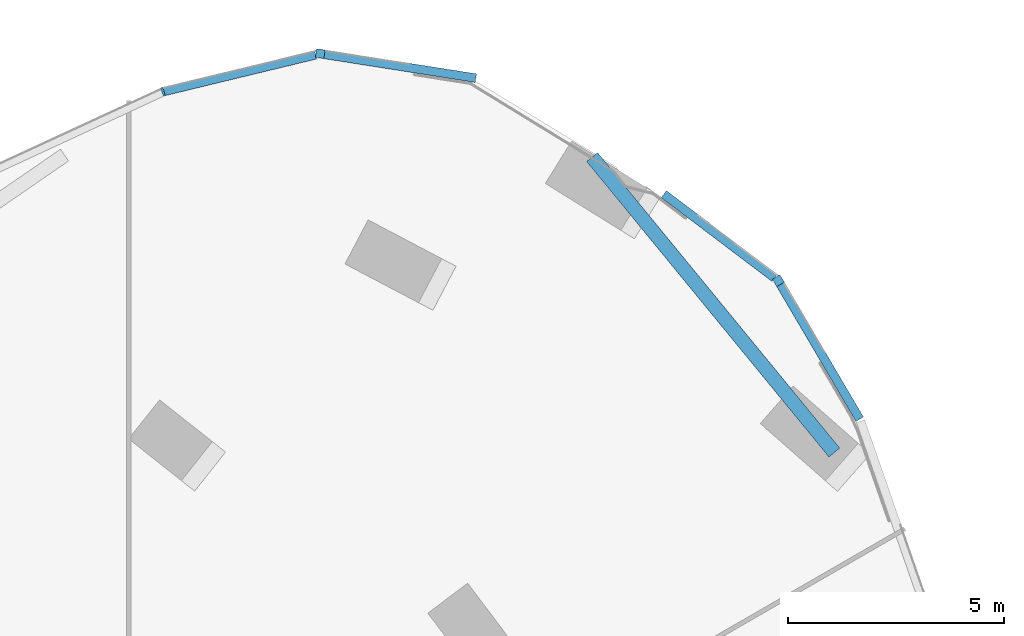
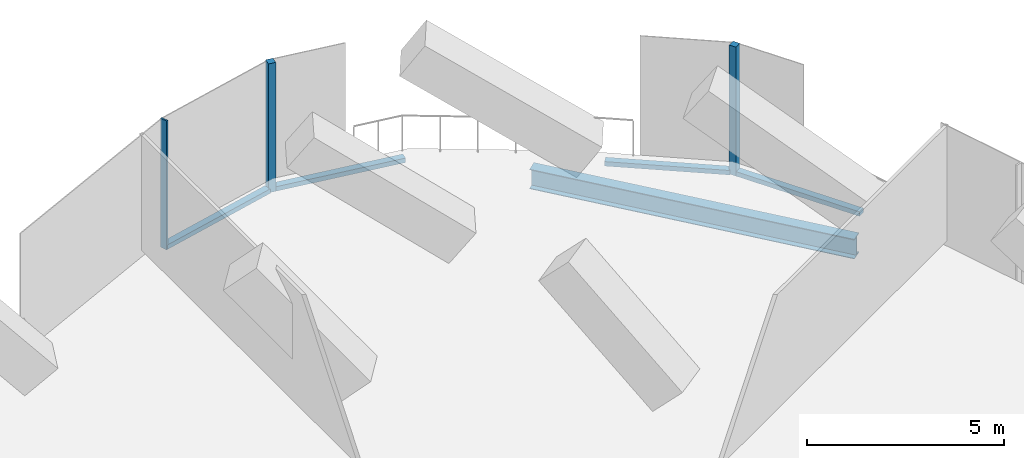
# One storey, part 11 of 26: 7 members, 1 beam, 4 elements without a shape of their own.
"""IFC4 building model written with IfcOpenShell, lengths in metres."""

from ifc_helpers import new_model, si_unit, direction, frame, origin, origin_2d, place, context, subcontext, project, spatial, rectangle, i_section, extrude, material, material_profile, profile_set, type_object, element, aggregate, save


model = new_model("IFC4")

# Units and contexts
model_context = context("Model", 3, precision=1e-05, world=origin(), true_north=direction((0.0, 1.0)))
body_context = subcontext(model_context, "Body", "Model", "MODEL_VIEW")
ifc_project = project(units=[si_unit("LENGTHUNIT", "METRE"), si_unit("AREAUNIT", "SQUARE_METRE"), si_unit("VOLUMEUNIT", "CUBIC_METRE"), si_unit("PLANEANGLEUNIT", "RADIAN"), si_unit("MASSUNIT", "GRAM", prefix="KILO")], contexts=[model_context])

# Site, building, storey
site_placement = place(None, origin())
site = spatial("IfcSite", under=ifc_project, at=site_placement, CompositionType="ELEMENT")
building_placement = place(site_placement, origin())
building = spatial("IfcBuilding", under=site, at=building_placement, Name="Orlundy Tower", CompositionType="ELEMENT")
storey_placement = place(building_placement, frame((0.0, 0.0, 249.5)))
storey = spatial("IfcBuildingStorey", under=building, at=storey_placement, Name="L66", CompositionType="ELEMENT", Elevation=249.5)

# Beam
ifc_material_1 = material(Name="Steel ASTM A992 Gr 50", Category="steel")
ifc_material_profile_1 = material_profile(ifc_material_1, i_section(OverallWidth=0.32373046875, OverallDepth=0.611083984375, WebThickness=0.0126953125, FlangeThickness=0.01904296875, at=origin_2d()), Name="W24X104")
ifc_profile_set_1 = profile_set([ifc_material_profile_1], Name="Steel ASTM A992 Gr 50")
beam_type = type_object("IfcBeamType", Name="CANTILEVER GIRDER beam W24X104", PredefinedType="BEAM", material=ifc_profile_set_1)
beam_placement = place(storey_placement, frame((28.705078125, 29.333984375, -0.7255859375), z_axis=(0.634071979262, -0.773274029768, 0.0), x_axis=(0.773274029768, 0.634071979262, 0.0)))
element("IfcBeam", 1, at=beam_placement, inside=storey, type_object=beam_type, Name="Cantilever girder C-A5-5 L66", PredefinedType="BEAM", context=body_context, shape_type="SweptSolid", body=[
    extrude(i_section(OverallWidth=0.32373046875, OverallDepth=0.611083984375, WebThickness=0.0126953125, FlangeThickness=0.01904296875, at=origin_2d()), origin(), (0.0, 0.0, 1.0), 8.825439453125),
])

# Curtain wall, member
ifc_material_2 = material(Name="Aluminium bronze anodised", Category="aluminium")
curtain_wall_type = type_object("IfcCurtainWallType", Name="CW5 wall", PredefinedType="NOTDEFINED", material=ifc_material_2)
curtain_wall_1_placement = place(storey_placement, origin())
curtain_wall_1 = element("IfcCurtainWall", 2, at=curtain_wall_1_placement, inside=storey, type_object=curtain_wall_type, Name="CW5 run 017", PredefinedType="NOTDEFINED")
ifc_material_3 = material(Name="Aluminium bronze anodised", Category="aluminium")
ifc_material_profile_2 = material_profile(ifc_material_3, rectangle(XDim=0.199951171875, YDim=0.199951171875, at=origin_2d()), Name="CW5 corner post 200x200")
ifc_profile_set_2 = profile_set([ifc_material_profile_2], Name="Aluminium bronze anodised")
member_type_1 = type_object("IfcMemberType", Name="CW5 corner post 200x200", PredefinedType="MULLION", material=ifc_profile_set_2)
member_1_placement = place(storey_placement, frame((22.4248046875, 31.722900390625, -0.419921875), z_axis=(0.0, 0.0, 1.0), x_axis=(0.15511748157, 0.987896030416, 0.0)))
member_1 = element("IfcMember", 3, at=member_1_placement, type_object=member_type_1, Name="CW5 mullion 25", PredefinedType="MULLION", context=body_context, shape_type="SweptSolid", body=[
    extrude(rectangle(XDim=0.199951171875, YDim=0.199951171875, at=origin_2d()), origin(), (0.0, 0.0, 1.0), 4.0),
])

curtain_wall_2_placement = place(storey_placement, origin())
curtain_wall_2 = element("IfcCurtainWall", 4, at=curtain_wall_2_placement, inside=storey, type_object=curtain_wall_type, Name="CW5 run 022", PredefinedType="NOTDEFINED")
member_2_placement = place(storey_placement, frame((33.007080078125, 26.478759765625, -0.419921875), z_axis=(0.0, 0.0, 1.0), x_axis=(0.862287730604, 0.506418670322, 0.0)))
member_2 = element("IfcMember", 5, at=member_2_placement, type_object=member_type_1, Name="CW5 mullion 30", PredefinedType="MULLION", context=body_context, shape_type="SweptSolid", body=[
    extrude(rectangle(XDim=0.199951171875, YDim=0.199951171875, at=origin_2d()), origin(), (0.0, 0.0, 1.0), 4.0),
])

# Curtain wall, members
curtain_wall_3_placement = place(storey_placement, origin())
curtain_wall_3 = element("IfcCurtainWall", 6, at=curtain_wall_3_placement, inside=storey, type_object=curtain_wall_type, Name="CW5 run 016", PredefinedType="NOTDEFINED")
ifc_material_4 = material(Name="Aluminium bronze anodised", Category="aluminium")
ifc_material_profile_3 = material_profile(ifc_material_4, rectangle(XDim=0.199951171875, YDim=0.050048828125, at=origin_2d()), Name="CW5 mullion 50x200")
ifc_profile_set_3 = profile_set([ifc_material_profile_3], Name="Aluminium bronze anodised")
member_type_2 = type_object("IfcMemberType", Name="CW5 mullion 50x200", PredefinedType="MULLION", material=ifc_profile_set_3)
member_3_placement = place(storey_placement, frame((18.79296875, 30.844970703125, -0.419921875), z_axis=(0.0, 0.0, 1.0), x_axis=(-0.329063101847, 0.944307934417, 0.0)))
member_3 = element("IfcMember", 7, at=member_3_placement, type_object=member_type_2, Name="CW5 mullion 24", PredefinedType="MULLION", context=body_context, shape_type="SweptSolid", body=[
    extrude(rectangle(XDim=0.199951171875, YDim=0.050048828125, at=origin_2d()), origin(), (0.0, 0.0, 1.0), 4.0),
])
ifc_material_5 = material(Name="Aluminium bronze anodised", Category="aluminium")
ifc_material_profile_4 = material_profile(ifc_material_5, rectangle(XDim=0.199951171875, YDim=0.139892578125, at=origin_2d()), Name="CW5 transom 200x140")
ifc_profile_set_4 = profile_set([ifc_material_profile_4], Name="Aluminium bronze anodised")
member_type_3 = type_object("IfcMemberType", Name="CW5 transom 200x140", PredefinedType="USERDEFINED", material=ifc_profile_set_4)
member_4_placement = place(storey_placement, frame((18.8173828125, 30.850830078125, -0.35009765625), z_axis=(0.971998476202, 0.234987153396, 0.0), x_axis=(-0.234987153396, 0.971998476202, 0.0)))
member_4 = element("IfcMember", 8, at=member_4_placement, type_object=member_type_3, Name="CW5 transom", ObjectType="TRANSOM", PredefinedType="USERDEFINED", context=body_context, shape_type="SweptSolid", body=[
    extrude(rectangle(XDim=0.199951171875, YDim=0.139892578125, at=origin_2d()), origin(), (0.0, 0.0, 1.0), 3.60302734375),
])
aggregate(curtain_wall_3, [member_3, member_4])

# Member
member_5_placement = place(storey_placement, frame((22.523681640625, 31.707275390625, -0.35009765625), z_axis=(0.987897976341, -0.155105088058, 0.0), x_axis=(0.155105088058, 0.987897976341, 0.0)))
member_5 = element("IfcMember", 9, at=member_5_placement, type_object=member_type_3, Name="CW5 transom", ObjectType="TRANSOM", PredefinedType="USERDEFINED", context=body_context, shape_type="SweptSolid", body=[
    extrude(rectangle(XDim=0.199951171875, YDim=0.139892578125, at=origin_2d()), origin(), (0.0, 0.0, 1.0), 3.538330078125),
])

aggregate(curtain_wall_1, [member_1, member_5])

# Curtain wall, member
curtain_wall_4_placement = place(storey_placement, origin())
curtain_wall_4 = element("IfcCurtainWall", 10, at=curtain_wall_4_placement, inside=storey, type_object=curtain_wall_type, Name="CW5 run 021", PredefinedType="NOTDEFINED")
member_6_placement = place(storey_placement, frame((30.362060546875, 28.47802734375, -0.35009765625), z_axis=(0.79775666801, -0.602979517601, 0.0), x_axis=(0.602979517601, 0.79775666801, 0.0)))
member_6 = element("IfcMember", 11, at=member_6_placement, type_object=member_type_3, Name="CW5 transom", ObjectType="TRANSOM", PredefinedType="USERDEFINED", context=body_context, shape_type="SweptSolid", body=[
    extrude(rectangle(XDim=0.199951171875, YDim=0.139892578125, at=origin_2d()), origin(), (0.0, 0.0, 1.0), 3.20751953125),
])
aggregate(curtain_wall_4, [member_6])

# Member
member_7_placement = place(storey_placement, frame((33.057861328125, 26.392578125, -0.35009765625), z_axis=(0.506399511921, -0.862298981981, 0.0), x_axis=(0.862298981981, 0.506399511921, 0.0)))
member_7 = element("IfcMember", 12, at=member_7_placement, type_object=member_type_3, Name="CW5 transom", ObjectType="TRANSOM", PredefinedType="USERDEFINED", context=body_context, shape_type="SweptSolid", body=[
    extrude(rectangle(XDim=0.199951171875, YDim=0.139892578125, at=origin_2d()), origin(), (0.0, 0.0, 1.0), 3.611083984375),
])

aggregate(curtain_wall_2, [member_2, member_7])

save(model, "model.ifc")
